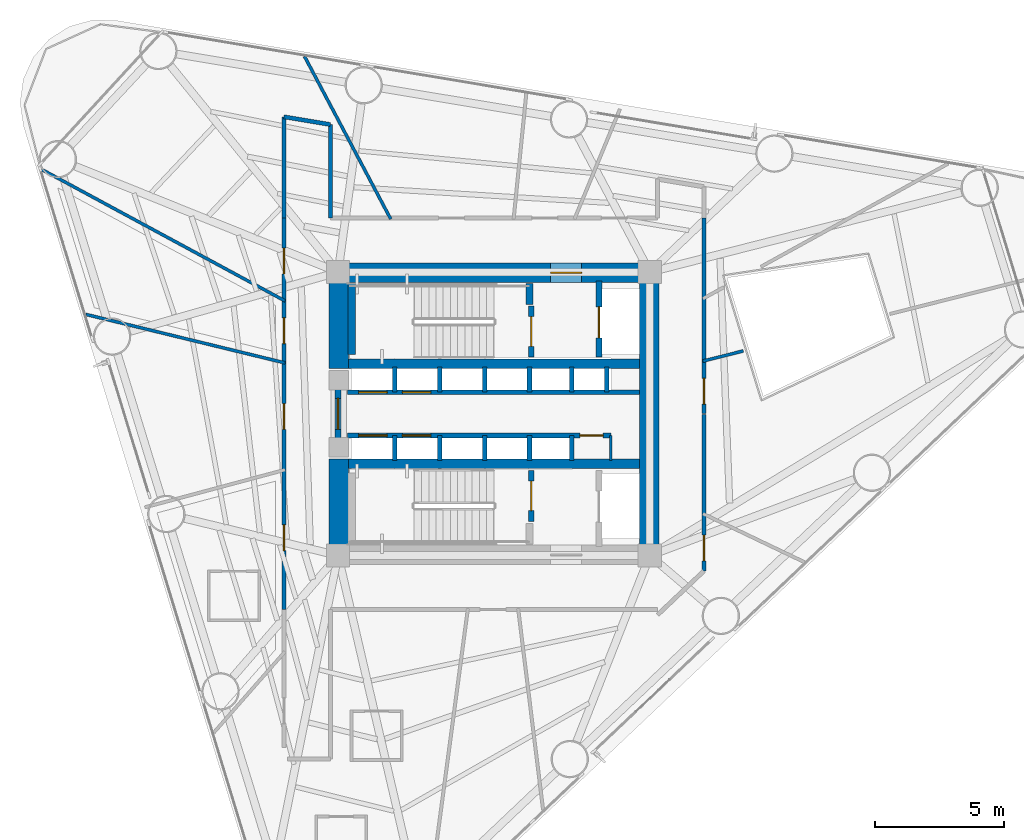
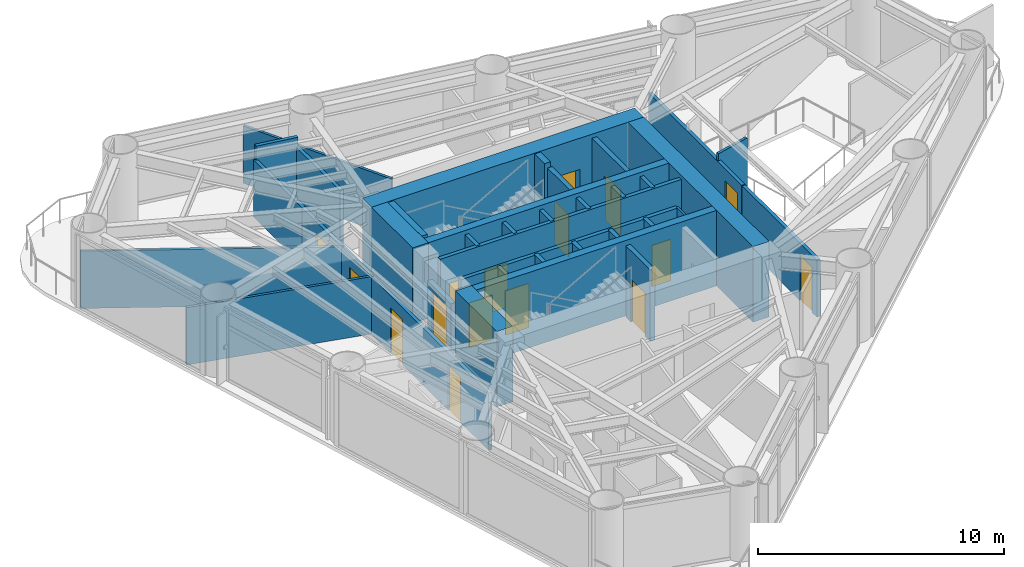
# One storey, part 6 of 10: 36 walls, 16 doors, 16 openings.
"""IFC4 building model written with IfcOpenShell, lengths in metres."""

import ifcopenshell
import ifcopenshell.guid

model = None  # the IFC model being written
_history = None  # IfcOwnerHistory: only IFC2X3 demands one
_inside = {}  # id of a spatial element -> (the spatial element, [elements in it])
_under = {}  # id of a project, library or spatial element -> (it, [spatial elements below it])
_declared = {}  # id of a project -> (the project, [libraries it declares])
_typed = {}  # id of a type object -> (the type object, [elements of that type])
_made_of = {}  # id of a material, layer set ... -> (it, [elements and type objects made of it])


def new_model(schema):
    """Start an empty IFC model of exactly this schema.

    Asked for "IFC4X3", IfcOpenShell would pick the latest addendum, in which some entities
    have other attributes; the version numbers below select the first issue.
    IFC2X3 requires an IfcOwnerHistory on every rooted entity: one is made here for all.
    """
    global model, _history
    if schema == "IFC4X3":
        model = ifcopenshell.file(schema_version=(4, 3, 0, 0))
    else:
        model = ifcopenshell.file(schema=schema)
    _inside.clear()
    _under.clear()
    _declared.clear()
    _typed.clear()
    _made_of.clear()
    _history = None
    if model.schema == "IFC2X3":
        org = make("IfcOrganization", Name="unknown")
        user = make(
            "IfcPersonAndOrganization",
            ThePerson=make("IfcPerson", FamilyName="unknown"),
            TheOrganization=org,
        )
        app = make(
            "IfcApplication",
            ApplicationDeveloper=org,
            Version="unknown",
            ApplicationFullName="unknown",
            ApplicationIdentifier="unknown",
        )
        _history = make(
            "IfcOwnerHistory",
            OwningUser=user,
            OwningApplication=app,
            ChangeAction="ADDED",
            CreationDate=0,
        )
    return model


def make(cls, **values):
    """One entity of the class cls with the attributes given. An attribute that is None is left unset."""
    return model.create_entity(
        cls, **{name: value for name, value in values.items() if value is not None}
    )


def rooted(cls, **values):
    """An entity with a GlobalId (a new one), such as an element, a storey or a relation."""
    return make(cls, GlobalId=ifcopenshell.guid.new(), OwnerHistory=_history, **values)


def si_unit(unit_type, name, prefix=None):
    """IfcSIUnit, for example si_unit("LENGTHUNIT", "METRE", prefix="MILLI")."""
    return make("IfcSIUnit", UnitType=unit_type, Prefix=prefix, Name=name)


def assignment(units):
    """IfcUnitAssignment: the units of a project."""
    return None if units is None else make("IfcUnitAssignment", Units=units)


def point(xyz):
    """IfcCartesianPoint."""
    return None if xyz is None else make("IfcCartesianPoint", Coordinates=xyz)


def direction(xyz):
    """IfcDirection."""
    return None if xyz is None else make("IfcDirection", DirectionRatios=xyz)


def frame(location, z_axis=None, x_axis=None):
    """IfcAxis2Placement3D, a coordinate frame: its origin and axes. An axis left out is left unset."""
    return make(
        "IfcAxis2Placement3D",
        Location=point(location),
        Axis=direction(z_axis),
        RefDirection=direction(x_axis),
    )


def frame_2d(location, x_axis=None):
    """IfcAxis2Placement2D, a coordinate frame in the plane: its origin and x axis."""
    return make(
        "IfcAxis2Placement2D", Location=point(location), RefDirection=direction(x_axis)
    )


def origin():
    """The frame at (0, 0, 0) with its axes left unset."""
    return frame((0.0, 0.0, 0.0))


def place(relative_to, where):
    """IfcLocalPlacement: puts the frame where relative to a parent placement (None: the world)."""
    return make(
        "IfcLocalPlacement", PlacementRelTo=relative_to, RelativePlacement=where
    )


def context(
    kind, dimensions, precision=None, world=None, true_north=None, identifier=None
):
    """IfcGeometricRepresentationContext, for example the 3D "Model" context."""
    return make(
        "IfcGeometricRepresentationContext",
        ContextIdentifier=identifier,
        ContextType=kind,
        CoordinateSpaceDimension=dimensions,
        Precision=precision,
        WorldCoordinateSystem=world,
        TrueNorth=true_north,
    )


def subcontext(parent, identifier, kind, view, scale=None):
    """IfcGeometricRepresentationSubContext, for example "Body" below "Model"."""
    return make(
        "IfcGeometricRepresentationSubContext",
        ContextIdentifier=identifier,
        ContextType=kind,
        ParentContext=parent,
        TargetScale=scale,
        TargetView=view,
    )


def project(units=None, contexts=None):
    """IfcProject with its units and contexts."""
    return rooted(
        "IfcProject",
        Name="project",
        RepresentationContexts=contexts,
        UnitsInContext=assignment(units),
    )


def spatial(cls, under=None, at=None, **own):
    """A site, building, storey or space (cls), placed at a placement, below another one or the project."""
    s = rooted(cls, ObjectPlacement=at, **own)
    if under is not None:
        _under.setdefault(under.id(), (under, []))[1].append(s)
    return s


def profile(cls, at=None, kind="AREA", **sizes):
    """A parametric profile (cls). Its sizes go by their IFC names, for example OverallWidth=200.0."""
    return make(cls, ProfileType=kind, Position=at, **sizes)


def rectangle(**sizes):
    """IfcRectangleProfileDef."""
    return profile("IfcRectangleProfileDef", **sizes)


def extrude(swept, where, along, depth):
    """IfcExtrudedAreaSolid: the profile swept, set in the frame where, extruded along a direction by depth."""
    return make(
        "IfcExtrudedAreaSolid",
        SweptArea=swept,
        Position=where,
        ExtrudedDirection=direction(along),
        Depth=depth,
    )


def shape(context_of_items, identifier, shape_type, items):
    """IfcShapeRepresentation: the items that make up one representation, for example the "Body"."""
    return make(
        "IfcShapeRepresentation",
        ContextOfItems=context_of_items,
        RepresentationIdentifier=identifier,
        RepresentationType=shape_type,
        Items=items,
    )


def material(Name=None, Category=None):
    """IfcMaterial."""
    return make("IfcMaterial", Name=Name, Category=Category)


def layer(
    of_material, thickness, ventilated=None, Name=None, Category=None, Priority=None
):
    """IfcMaterialLayer: one layer of a wall or slab, of a material (None: an air gap)."""
    return make(
        "IfcMaterialLayer",
        Material=of_material,
        LayerThickness=thickness,
        IsVentilated=ventilated,
        Name=Name,
        Category=Category,
        Priority=Priority,
    )


def layer_set(layers, Name=None):
    """IfcMaterialLayerSet."""
    return make("IfcMaterialLayerSet", MaterialLayers=layers, LayerSetName=Name)


def made_of(thing, what):
    """Note that an element or type object is made of a material, layer set ...; save() writes the relation."""
    if what is not None:
        _made_of.setdefault(what.id(), (what, []))[1].append(thing)
    return thing


def type_object(cls, material=None, **own):
    """A type object (cls), such as IfcWallType, which elements share."""
    return made_of(rooted(cls, **own), material)


def element(
    cls,
    number,
    at=None,
    inside=None,
    cuts=None,
    type_object=None,
    material=None,
    context=None,
    identifier="Body",
    shape_type=None,
    held_by="IfcProductDefinitionShape",
    body=None,
    shapes=None,
    **own,
):
    """One element of the class cls, such as IfcWall. Its Tag is "e" and its number.

    at: its placement. inside: the storey or other place that contains it. cuts: it is an
    opening in that element (IfcRelVoidsElement). A single representation is given by context,
    identifier, shape_type and body (its items); several are given by shapes. held_by: the class
    of the entity that holds the representations. save() writes the other relations.
    """
    e = rooted(cls, Tag="e%d" % number, ObjectPlacement=at, **own)
    if body is not None:
        shapes = [shape(context, identifier, shape_type, body)]
    if shapes is not None:
        e.Representation = make(held_by, Representations=shapes)
    if inside is not None:
        _inside.setdefault(inside.id(), (inside, []))[1].append(e)
    if cuts is not None:
        rooted(
            "IfcRelVoidsElement", RelatingBuildingElement=cuts, RelatedOpeningElement=e
        )
    if type_object is not None:
        _typed.setdefault(type_object.id(), (type_object, []))[1].append(e)
    return made_of(e, material)


def fill(opening, filler):
    """IfcRelFillsElement: the door or window that sits in an opening."""
    return rooted(
        "IfcRelFillsElement",
        RelatingOpeningElement=opening,
        RelatedBuildingElement=filler,
    )


def aggregate(whole, parts):
    """IfcRelAggregates: a whole, such as a stair, and the parts it consists of."""
    return rooted("IfcRelAggregates", RelatingObject=whole, RelatedObjects=parts)


def save(model, path):
    """Write the relations noted so far, then the file.

    IfcRelAggregates (storeys below a building ...), IfcRelContainedInSpatialStructure (elements
    in a storey), IfcRelDefinesByType, IfcRelAssociatesMaterial and IfcRelDeclares: one each for
    every whole, place, type object, material and project.
    """
    for whole, parts in _under.values():
        aggregate(whole, parts)
    for where, things in _inside.values():
        rooted(
            "IfcRelContainedInSpatialStructure",
            RelatedElements=things,
            RelatingStructure=where,
        )
    for kind, things in _typed.values():
        rooted("IfcRelDefinesByType", RelatedObjects=things, RelatingType=kind)
    for what, things in _made_of.values():
        rooted("IfcRelAssociatesMaterial", RelatedObjects=things, RelatingMaterial=what)
    for by, libraries in _declared.values():
        rooted("IfcRelDeclares", RelatingContext=by, RelatedDefinitions=libraries)
    model.write(path)


model = new_model("IFC4")

# Units and contexts
model_context = context("Model", 3, precision=1e-05, world=origin(), true_north=direction((0.0, 1.0)))
body_context = subcontext(model_context, "Body", "Model", "MODEL_VIEW")
ifc_project = project(units=[si_unit("LENGTHUNIT", "METRE"), si_unit("AREAUNIT", "SQUARE_METRE"), si_unit("VOLUMEUNIT", "CUBIC_METRE"), si_unit("PLANEANGLEUNIT", "RADIAN"), si_unit("MASSUNIT", "GRAM", prefix="KILO")], contexts=[model_context])

# Site, building, storey
site_placement = place(None, origin())
site = spatial("IfcSite", under=ifc_project, at=site_placement, CompositionType="ELEMENT")
building_placement = place(site_placement, origin())
building = spatial("IfcBuilding", under=site, at=building_placement, Name="Yunling Apex Tower", CompositionType="ELEMENT")
storey_placement = place(building_placement, frame((0.0, 0.0, 112.39990234375)))
storey = spatial("IfcBuildingStorey", under=building, at=storey_placement, Name="L28", CompositionType="ELEMENT", Elevation=112.39990234375)

# Wall, opening, door
ifc_material_1 = material(Name="Concrete C60", Category="concrete")
ifc_layer_1 = layer(ifc_material_1, 0.75)
ifc_layer_set_1 = layer_set([ifc_layer_1], Name="Concrete C60")
wall_type_1 = type_object("IfcWallType", Name="WL-COR-1", PredefinedType="SHEAR", material=ifc_layer_set_1)
wall_1_placement = place(storey_placement, frame((-6.39990234375, 5.47509765625, 0.0), z_axis=(0.0, 0.0, 1.0), x_axis=(1.0, 0.0, 0.0)))
wall_1 = element("IfcWall", 1, at=wall_1_placement, inside=storey, type_object=wall_type_1, Name="L28 North Core Shear Wall", PredefinedType="SHEAR", context=body_context, shape_type="SweptSolid", body=[
    extrude(rectangle(XDim=12.7998046875, YDim=0.75, at=frame_2d((6.39990234375, 0.0))), origin(), (0.0, 0.0, 1.0), 3.75),
])
opening_1_placement = place(wall_1_placement, frame((8.60009765625, 0.0, 0.0)))
opening_1 = element("IfcOpeningElement", 2, at=opening_1_placement, cuts=wall_1, Name="Opening DR-FFL-1", PredefinedType="OPENING", context=body_context, shape_type="SweptSolid", body=[
    extrude(rectangle(XDim=1.199951171875, YDim=2.199951171875, at=frame_2d((0.60009765625, 1.10009765625))), frame((0.0, 0.385009765625, 0.0), z_axis=(0.0, -1.0, 0.0), x_axis=(1.0, 0.0, 0.0)), (0.0, 0.0, 1.0), 0.77001953125),
])
ifc_material_2 = material(Name="Steel Q355B", Category="steel")
door_type_1 = type_object("IfcDoorType", Name="DR-FFL-1", OperationType="NOTDEFINED", PredefinedType="DOOR", material=ifc_material_2)
door_1_placement = place(opening_1_placement, origin())
door_1 = element("IfcDoor", 3, at=door_1_placement, inside=storey, type_object=door_type_1, Name="L28 North Firefighting Lobby Door", OperationType="SINGLE_SWING_LEFT", OverallHeight=2.199951171875, OverallWidth=1.199951171875, PredefinedType="DOOR", context=body_context, shape_type="SweptSolid", body=[
    extrude(rectangle(XDim=1.199951171875, YDim=2.199951171875, at=frame_2d((0.60009765625, 1.10009765625))), frame((0.0, 0.02490234375, 0.0), z_axis=(0.0, -1.0, 0.0), x_axis=(1.0, 0.0, 0.0)), (0.0, 0.0, 1.0), 0.050048828125),
])
fill(opening_1, door_1)

# Walls
wall_2_placement = place(storey_placement, frame((6.02490234375, -5.10009765625, 0.0), z_axis=(0.0, 0.0, 1.0), x_axis=(0.0, 1.0, 0.0)))
element("IfcWall", 4, at=wall_2_placement, inside=storey, type_object=wall_type_1, Name="L28 East Core Shear Wall", PredefinedType="SHEAR", context=body_context, shape_type="SweptSolid", body=[
    extrude(rectangle(XDim=10.2001953125, YDim=0.75, at=frame_2d((5.10009765625, 0.0))), origin(), (0.0, 0.0, 1.0), 3.75),
])
for number, where, z_axis, x_axis, name in (
    (5, (-6.02490234375, -5.10009765625, 0.0), (0.0, 0.0, 1.0), (0.0, 1.0, 0.0), "L28 West-South Core Shear Wall"),
    (6, (-6.02490234375, 1.75, 0.0), (0.0, 0.0, 1.0), (0.0, 1.0, 0.0), "L28 West-North Core Shear Wall"),
):
    element("IfcWall", number, at=place(storey_placement, frame(where, z_axis=z_axis, x_axis=x_axis)), inside=storey, type_object=wall_type_1, Name=name, PredefinedType="SHEAR", context=body_context, shape_type="SweptSolid", body=[
        extrude(rectangle(XDim=3.35009765625, YDim=0.75, at=frame_2d((1.675048828125, 0.0))), origin(), (0.0, 0.0, 1.0), 3.75),
    ])
ifc_material_3 = material(Name="Concrete C40", Category="concrete")
ifc_layer_2 = layer(ifc_material_3, 0.360107421875)
ifc_layer_set_2 = layer_set([ifc_layer_2], Name="Concrete C40")
wall_type_2 = type_object("IfcWallType", Name="WL-COR-4", PredefinedType="SHEAR", material=ifc_layer_set_2)
for number, where, z_axis, x_axis, name in (
    (7, (-5.64990234375, 1.93994140625, 0.0), (0.0, 0.0, 1.0), (1.0, 0.0, 0.0), "L28 North Internal Core Shear Wall"),
    (8, (-5.64990234375, -1.93994140625, 0.0), (0.0, 0.0, 1.0), (1.0, 0.0, 0.0), "L28 South Internal Core Shear Wall"),
):
    element("IfcWall", number, at=place(storey_placement, frame(where, z_axis=z_axis, x_axis=x_axis)), inside=storey, type_object=wall_type_2, Name=name, PredefinedType="SHEAR", context=body_context, shape_type="SweptSolid", body=[
        extrude(rectangle(XDim=11.2998046875, YDim=0.360107421875, at=frame_2d((5.64990234375, 0.0))), origin(), (0.0, 0.0, 1.0), 3.75),
    ])
ifc_layer_3 = layer(ifc_material_3, 0.280029296875)
ifc_layer_set_3 = layer_set([ifc_layer_3], Name="Concrete C40")
wall_type_3 = type_object("IfcWallType", Name="WL-COR-8", PredefinedType="SHEAR", material=ifc_layer_set_3)
wall_3_placement = place(storey_placement, frame((-5.52001953125, 2.300048828125, 0.0), z_axis=(0.0, 0.0, 1.0), x_axis=(0.0, 1.0, 0.0)))
element("IfcWall", 9, at=wall_3_placement, inside=storey, type_object=wall_type_3, Name="L28 ST-1 West Landing Bearing Wall", PredefinedType="SHEAR", context=body_context, shape_type="SweptSolid", body=[
    extrude(rectangle(XDim=2.75, YDim=0.280029296875, at=frame_2d((1.375, 0.0))), origin(), (0.0, 0.0, 1.0), 3.75),
])
wall_4_placement = place(storey_placement, frame((1.3798828125, 4.25, 0.0), z_axis=(0.0, 0.0, 1.0), x_axis=(0.0, 1.0, 0.0)))
element("IfcWall", 10, at=wall_4_placement, inside=storey, type_object=wall_type_3, Name="L28 ST-1 East Landing Bearing Pier", PredefinedType="SHEAR", context=body_context, shape_type="SweptSolid", body=[
    extrude(rectangle(XDim=0.800048828125, YDim=0.280029296875, at=frame_2d((0.39990234375, 0.0))), origin(), (0.0, 0.0, 1.0), 3.75),
])

# Wall, openings, doors
ifc_material_4 = material(Name="Gypsum board acoustic partition")
ifc_layer_4 = layer(ifc_material_4, 0.159912109375)
ifc_layer_set_4 = layer_set([ifc_layer_4], Name="Gypsum board acoustic partition")
wall_type_4 = type_object("IfcWallType", Name="WL-PRT-1", PredefinedType="PARTITIONING", material=ifc_layer_set_4)
wall_5_placement = place(storey_placement, frame((-8.14990234375, -7.60009765625, 0.0), z_axis=(0.0, 0.0, 1.0), x_axis=(0.0, 1.0, 0.0)))
wall_5 = element("IfcWall", 11, at=wall_5_placement, inside=storey, type_object=wall_type_4, Name="WL-CORR-L28-03", PredefinedType="PARTITIONING", context=body_context, shape_type="SweptSolid", body=[
    extrude(rectangle(XDim=15.2001953125, YDim=0.159912109375, at=frame_2d((7.60009765625, 0.0))), origin(), (0.0, 0.0, 1.0), 2.85009765625),
])
opening_2_placement = place(wall_5_placement, frame((2.2900390625, 0.0, 0.0)))
opening_2 = element("IfcOpeningElement", 12, at=opening_2_placement, cuts=wall_5, Name="Opening DR-OFF-1", PredefinedType="OPENING", context=body_context, shape_type="SweptSolid", body=[
    extrude(rectangle(XDim=1.0, YDim=2.25, at=frame_2d((0.5, 1.125))), frame((0.0, 0.08984375, 0.0), z_axis=(0.0, -1.0, 0.0), x_axis=(1.0, 0.0, 0.0)), (0.0, 0.0, 1.0), 0.179931640625),
])
opening_3_placement = place(wall_5_placement, frame((7.000244140625, 0.0, 0.0)))
opening_3 = element("IfcOpeningElement", 13, at=opening_3_placement, cuts=wall_5, Name="Opening DR-OFF-1", PredefinedType="OPENING", context=body_context, shape_type="SweptSolid", body=[
    extrude(rectangle(XDim=1.0, YDim=2.25, at=frame_2d((0.5, 1.125))), frame((0.0, 0.08984375, 0.0), z_axis=(0.0, -1.0, 0.0), x_axis=(1.0, 0.0, 0.0)), (0.0, 0.0, 1.0), 0.179931640625),
])
opening_4_placement = place(wall_5_placement, frame((10.3251953125, 0.0, 0.0)))
opening_4 = element("IfcOpeningElement", 14, at=opening_4_placement, cuts=wall_5, Name="Opening DR-OFF-1", PredefinedType="OPENING", context=body_context, shape_type="SweptSolid", body=[
    extrude(rectangle(XDim=1.0, YDim=2.25, at=frame_2d((0.5, 1.125))), frame((0.0, 0.08984375, 0.0), z_axis=(0.0, -1.0, 0.0), x_axis=(1.0, 0.0, 0.0)), (0.0, 0.0, 1.0), 0.179931640625),
])
opening_5_placement = place(wall_5_placement, frame((13.034912109375, 0.0, 0.0)))
opening_5 = element("IfcOpeningElement", 15, at=opening_5_placement, cuts=wall_5, Name="Opening DR-OFF-1", PredefinedType="OPENING", context=body_context, shape_type="SweptSolid", body=[
    extrude(rectangle(XDim=1.0, YDim=2.25, at=frame_2d((0.5, 1.125))), frame((0.0, 0.08984375, 0.0), z_axis=(0.0, -1.0, 0.0), x_axis=(1.0, 0.0, 0.0)), (0.0, 0.0, 1.0), 0.179931640625),
])
ifc_material_5 = material(Name="Bronze anodised aluminium", Category="aluminium")
door_type_2 = type_object("IfcDoorType", Name="DR-OFF-1", OperationType="NOTDEFINED", PredefinedType="DOOR", material=ifc_material_5)
door_2_placement = place(opening_2_placement, origin())
door_2 = element("IfcDoor", 16, at=door_2_placement, inside=storey, type_object=door_type_2, Name="L28 Office Suite Door", OperationType="SINGLE_SWING_LEFT", OverallHeight=2.25, OverallWidth=1.0, PredefinedType="DOOR", context=body_context, shape_type="SweptSolid", body=[
    extrude(rectangle(XDim=1.0, YDim=2.25, at=frame_2d((0.5, 1.125))), frame((0.0, 0.02490234375, 0.0), z_axis=(0.0, -1.0, 0.0), x_axis=(1.0, 0.0, 0.0)), (0.0, 0.0, 1.0), 0.050048828125),
])
fill(opening_2, door_2)
door_3_placement = place(opening_3_placement, origin())
door_3 = element("IfcDoor", 17, at=door_3_placement, inside=storey, type_object=door_type_2, Name="L28 Conference Meeting Room Door", OperationType="SINGLE_SWING_RIGHT", OverallHeight=2.25, OverallWidth=1.0, PredefinedType="DOOR", context=body_context, shape_type="SweptSolid", body=[
    extrude(rectangle(XDim=1.0, YDim=2.25, at=frame_2d((0.5, 1.125))), frame((0.0, 0.02490234375, 0.0), z_axis=(0.0, -1.0, 0.0), x_axis=(1.0, 0.0, 0.0)), (0.0, 0.0, 1.0), 0.050048828125),
])
fill(opening_3, door_3)
door_4_placement = place(opening_4_placement, origin())
door_4 = element("IfcDoor", 18, at=door_4_placement, inside=storey, type_object=door_type_2, Name="L28 Document Archive Store Door", OperationType="SINGLE_SWING_LEFT", OverallHeight=2.25, OverallWidth=1.0, PredefinedType="DOOR", context=body_context, shape_type="SweptSolid", body=[
    extrude(rectangle(XDim=1.0, YDim=2.25, at=frame_2d((0.5, 1.125))), frame((0.0, 0.02490234375, 0.0), z_axis=(0.0, -1.0, 0.0), x_axis=(1.0, 0.0, 0.0)), (0.0, 0.0, 1.0), 0.050048828125),
])
fill(opening_4, door_4)
door_5_placement = place(opening_5_placement, origin())
door_5 = element("IfcDoor", 19, at=door_5_placement, inside=storey, type_object=door_type_2, Name="L28 Document Archive Store Door", OperationType="SINGLE_SWING_RIGHT", OverallHeight=2.25, OverallWidth=1.0, PredefinedType="DOOR", context=body_context, shape_type="SweptSolid", body=[
    extrude(rectangle(XDim=1.0, YDim=2.25, at=frame_2d((0.5, 1.125))), frame((0.0, 0.02490234375, 0.0), z_axis=(0.0, -1.0, 0.0), x_axis=(1.0, 0.0, 0.0)), (0.0, 0.0, 1.0), 0.050048828125),
])
fill(opening_5, door_5)

# Walls
wall_6_placement = place(storey_placement, frame((-8.14990234375, 7.60009765625, 0.0), z_axis=(0.0, 0.0, 1.0), x_axis=(0.0, 1.0, 0.0)))
element("IfcWall", 20, at=wall_6_placement, inside=storey, type_object=wall_type_4, Name="WL-CORR-L28-04", PredefinedType="PARTITIONING", context=body_context, shape_type="SweptSolid", body=[
    extrude(rectangle(XDim=3.928955078125, YDim=0.159912109375, at=frame_2d((1.96435546875, 0.0))), origin(), (0.0, 0.0, 1.0), 2.85009765625),
])
wall_7_placement = place(storey_placement, frame((-8.14990234375, 11.529052734375, 0.0), z_axis=(0.0, 0.0, 1.0), x_axis=(0.986408385389, -0.164312194419, 0.0)))
element("IfcWall", 21, at=wall_7_placement, inside=storey, type_object=wall_type_4, Name="WL-CORR-L28-05", PredefinedType="PARTITIONING", context=body_context, shape_type="SweptSolid", body=[
    extrude(rectangle(XDim=1.82470703125, YDim=0.159912109375, at=frame_2d((0.912353515625, 0.0))), origin(), (0.0, 0.0, 1.0), 3.545166015625),
])
wall_8_placement = place(storey_placement, frame((-6.35009765625, 11.229248046875, 0.0), z_axis=(0.0, 0.0, 1.0), x_axis=(0.0, -1.0, 0.0)))
element("IfcWall", 22, at=wall_8_placement, inside=storey, type_object=wall_type_4, Name="WL-CORR-L28-06", PredefinedType="PARTITIONING", context=body_context, shape_type="SweptSolid", body=[
    extrude(rectangle(XDim=3.629150390625, YDim=0.159912109375, at=frame_2d((1.814453125, 0.0))), origin(), (0.0, 0.0, 1.0), 3.050048828125),
])

# Wall, opening, door
wall_9_placement = place(storey_placement, frame((8.14990234375, 7.60009765625, 0.0), z_axis=(0.0, 0.0, 1.0), x_axis=(0.0, -1.0, 0.0)))
wall_9 = element("IfcWall", 23, at=wall_9_placement, inside=storey, type_object=wall_type_4, Name="WL-CORR-L28-11", PredefinedType="PARTITIONING", context=body_context, shape_type="SweptSolid", body=[
    extrude(rectangle(XDim=7.580078125, YDim=0.159912109375, at=frame_2d((3.7900390625, 0.0))), origin(), (0.0, 0.0, 1.0), 2.85009765625),
])
opening_6_placement = place(wall_9_placement, frame((6.228515625, 0.0, 0.0)))
opening_6 = element("IfcOpeningElement", 24, at=opening_6_placement, cuts=wall_9, Name="Opening DR-OFF-1", PredefinedType="OPENING", context=body_context, shape_type="SweptSolid", body=[
    extrude(rectangle(XDim=1.0, YDim=2.25, at=frame_2d((0.5, 1.125))), frame((0.0, 0.08984375, 0.0), z_axis=(0.0, -1.0, 0.0), x_axis=(1.0, 0.0, 0.0)), (0.0, 0.0, 1.0), 0.179931640625),
])
door_6_placement = place(opening_6_placement, origin())
door_6 = element("IfcDoor", 25, at=door_6_placement, inside=storey, type_object=door_type_2, Name="L28 Conference Meeting Room Door", OperationType="SINGLE_SWING_RIGHT", OverallHeight=2.25, OverallWidth=1.0, PredefinedType="DOOR", context=body_context, shape_type="SweptSolid", body=[
    extrude(rectangle(XDim=1.0, YDim=2.25, at=frame_2d((0.5, 1.125))), frame((0.0, 0.02490234375, 0.0), z_axis=(0.0, -1.0, 0.0), x_axis=(1.0, 0.0, 0.0)), (0.0, 0.0, 1.0), 0.050048828125),
])
fill(opening_6, door_6)

wall_10_placement = place(storey_placement, frame((8.14990234375, -0.02001953125, 0.0), z_axis=(0.0, 0.0, 1.0), x_axis=(0.0, -1.0, 0.0)))
wall_10 = element("IfcWall", 26, at=wall_10_placement, inside=storey, type_object=wall_type_4, Name="WL-CORR-L28-12", PredefinedType="PARTITIONING", context=body_context, shape_type="SweptSolid", body=[
    extrude(rectangle(XDim=6.078857421875, YDim=0.159912109375, at=frame_2d((3.03955078125, 0.0))), origin(), (0.0, 0.0, 1.0), 2.85009765625),
])
opening_7_placement = place(wall_10_placement, frame((4.6875, 0.0, 0.0)))
opening_7 = element("IfcOpeningElement", 27, at=opening_7_placement, cuts=wall_10, Name="Opening DR-OFF-1", PredefinedType="OPENING", context=body_context, shape_type="SweptSolid", body=[
    extrude(rectangle(XDim=1.0, YDim=2.25, at=frame_2d((0.5, 1.125))), frame((0.0, 0.08984375, 0.0), z_axis=(0.0, -1.0, 0.0), x_axis=(1.0, 0.0, 0.0)), (0.0, 0.0, 1.0), 0.179931640625),
])
door_7_placement = place(opening_7_placement, origin())
door_7 = element("IfcDoor", 28, at=door_7_placement, inside=storey, type_object=door_type_2, Name="L28 Document Archive Store Door", OperationType="SINGLE_SWING_LEFT", OverallHeight=2.25, OverallWidth=1.0, PredefinedType="DOOR", context=body_context, shape_type="SweptSolid", body=[
    extrude(rectangle(XDim=1.0, YDim=2.25, at=frame_2d((0.5, 1.125))), frame((0.0, 0.02490234375, 0.0), z_axis=(0.0, -1.0, 0.0), x_axis=(1.0, 0.0, 0.0)), (0.0, 0.0, 1.0), 0.050048828125),
])
fill(opening_7, door_7)

# Walls
ifc_layer_5 = layer(ifc_material_4, 0.1201171875)
ifc_layer_set_5 = layer_set([ifc_layer_5], Name="Gypsum board acoustic partition")
wall_type_5 = type_object("IfcWallType", Name="WL-PRT-3", PredefinedType="PARTITIONING", material=ifc_layer_set_5)
wall_11_placement = place(storey_placement, frame((8.110107421875, 2.045166015625, 0.0), z_axis=(0.0, 0.0, 1.0), x_axis=(0.969634535422, 0.244558515936, 0.0)))
element("IfcWall", 29, at=wall_11_placement, inside=storey, type_object=wall_type_5, Name="WL-RAD-L28-06", PredefinedType="PARTITIONING", context=body_context, shape_type="SweptSolid", body=[
    extrude(rectangle(XDim=1.6181640625, YDim=0.1201171875, at=frame_2d((0.80908203125, 0.0))), origin(), (0.0, 0.0, 1.0), 3.210205078125),
])
wall_12_placement = place(storey_placement, frame((-4.006591796875, 7.56005859375, 0.0), z_axis=(0.0, 0.0, 1.0), x_axis=(-0.468285095747, 0.883577426772, 0.0)))
element("IfcWall", 30, at=wall_12_placement, inside=storey, type_object=wall_type_5, Name="WL-RAD-L28-12", PredefinedType="PARTITIONING", context=body_context, shape_type="SweptSolid", body=[
    extrude(rectangle(XDim=7.140869140625, YDim=0.1201171875, at=frame_2d((3.5703125, 0.0))), origin(), (0.0, 0.0, 1.0), 2.85009765625),
])
wall_13_placement = place(storey_placement, frame((-8.110107421875, 4.382080078125, 0.0), z_axis=(0.0, 0.0, 1.0), x_axis=(-0.879765097161, 0.47540863877, 0.0)))
element("IfcWall", 31, at=wall_13_placement, inside=storey, type_object=wall_type_5, Name="WL-RAD-L28-13", PredefinedType="PARTITIONING", context=body_context, shape_type="SweptSolid", body=[
    extrude(rectangle(XDim=10.7412109375, YDim=0.1201171875, at=frame_2d((5.37060546875, 0.0))), origin(), (0.0, 0.0, 1.0), 2.85009765625),
])
wall_14_placement = place(storey_placement, frame((-8.110107421875, 1.975830078125, 0.0), z_axis=(0.0, 0.0, 1.0), x_axis=(-0.971576662732, 0.236725132665, 0.0)))
element("IfcWall", 32, at=wall_14_placement, inside=storey, type_object=wall_type_5, Name="WL-RAD-L28-14", PredefinedType="PARTITIONING", context=body_context, shape_type="SweptSolid", body=[
    extrude(rectangle(XDim=7.95458984375, YDim=0.1201171875, at=frame_2d((3.977294921875, 0.0))), origin(), (0.0, 0.0, 1.0), 2.85009765625),
])
ifc_layer_6 = layer(ifc_material_4, 0.10009765625)
ifc_layer_set_6 = layer_set([ifc_layer_6], Name="Gypsum board acoustic partition")
wall_type_6 = type_object("IfcWallType", Name="WL-PRT-4", PredefinedType="PARTITIONING", material=ifc_layer_set_6)
wall_15_placement = place(storey_placement, frame((4.5400390625, -1.820068359375, 0.0), z_axis=(0.0, 0.0, 1.0), x_axis=(0.0, 1.0, 0.0)))
element("IfcWall", 33, at=wall_15_placement, inside=storey, type_object=wall_type_6, Name="WL-KASE-E-L28", PredefinedType="PARTITIONING", context=body_context, shape_type="SweptSolid", body=[
    extrude(rectangle(XDim=0.97998046875, YDim=0.10009765625, at=frame_2d((0.489990234375, 0.0))), origin(), (0.0, 0.0, 1.0), 3.545166015625),
])

# Wall, opening, door
ifc_material_6 = material(Name="Autoclaved aerated concrete masonry", Category="masonry")
ifc_layer_7 = layer(ifc_material_6, 0.219970703125)
ifc_layer_set_7 = layer_set([ifc_layer_7], Name="Autoclaved aerated concrete masonry")
wall_type_7 = type_object("IfcWallType", Name="WL-SHF-1", PredefinedType="PLUMBINGWALL", material=ifc_layer_set_7)
wall_16_placement = place(storey_placement, frame((-6.050048828125, -0.949951171875, 0.0), z_axis=(0.0, 0.0, 1.0), x_axis=(0.0, 1.0, 0.0)))
wall_16 = element("IfcWall", 34, at=wall_16_placement, inside=storey, type_object=wall_type_7, Name="WL-COR-WPORT-L28", PredefinedType="PLUMBINGWALL", context=body_context, shape_type="SweptSolid", body=[
    extrude(rectangle(XDim=1.89990234375, YDim=0.219970703125, at=frame_2d((0.949951171875, 0.0))), origin(), (0.0, 0.0, 1.0), 2.525146484375),
])
opening_8_placement = place(wall_16_placement, frame((0.35009765625, 0.0, 0.0)))
opening_8 = element("IfcOpeningElement", 35, at=opening_8_placement, cuts=wall_16, Name="Opening DR-FFL-1", PredefinedType="OPENING", context=body_context, shape_type="SweptSolid", body=[
    extrude(rectangle(XDim=1.199951171875, YDim=2.199951171875, at=frame_2d((0.60009765625, 1.10009765625))), frame((0.0, 0.1201171875, 0.0), z_axis=(0.0, -1.0, 0.0), x_axis=(1.0, 0.0, 0.0)), (0.0, 0.0, 1.0), 0.239990234375),
])
door_8_placement = place(opening_8_placement, origin())
door_8 = element("IfcDoor", 36, at=door_8_placement, inside=storey, type_object=door_type_1, Name="L28 Passenger Lift Lobby Entrance Door", OperationType="SINGLE_SWING_RIGHT", OverallHeight=2.199951171875, OverallWidth=1.199951171875, PredefinedType="DOOR", context=body_context, shape_type="SweptSolid", body=[
    extrude(rectangle(XDim=1.199951171875, YDim=2.199951171875, at=frame_2d((0.60009765625, 1.10009765625))), frame((0.0, 0.02490234375, 0.0), z_axis=(0.0, -1.0, 0.0), x_axis=(1.0, 0.0, 0.0)), (0.0, 0.0, 1.0), 0.050048828125),
])
fill(opening_8, door_8)

wall_17_placement = place(storey_placement, frame((1.449951171875, 2.199951171875, 0.0), z_axis=(0.0, 0.0, 1.0), x_axis=(0.0, 1.0, 0.0)))
wall_17 = element("IfcWall", 37, at=wall_17_placement, inside=storey, type_object=wall_type_7, Name="WL-ST1-E-L28", PredefinedType="PLUMBINGWALL", context=body_context, shape_type="SweptSolid", body=[
    extrude(rectangle(XDim=1.97998046875, YDim=0.219970703125, at=frame_2d((0.989990234375, 0.0))), origin(), (0.0, 0.0, 1.0), 3.545166015625),
])
opening_9_placement = place(wall_17_placement, frame((0.419921875, 0.0, 0.0)))
opening_9 = element("IfcOpeningElement", 38, at=opening_9_placement, cuts=wall_17, Name="Opening DR-ST-1", PredefinedType="OPENING", context=body_context, shape_type="SweptSolid", body=[
    extrude(rectangle(XDim=1.14990234375, YDim=2.14990234375, at=frame_2d((0.574951171875, 1.074951171875))), frame((0.0, 0.1201171875, 0.0), z_axis=(0.0, -1.0, 0.0), x_axis=(1.0, 0.0, 0.0)), (0.0, 0.0, 1.0), 0.239990234375),
])
door_type_3 = type_object("IfcDoorType", Name="DR-ST-1", OperationType="NOTDEFINED", PredefinedType="DOOR", material=ifc_material_2)
door_9_placement = place(opening_9_placement, origin())
door_9 = element("IfcDoor", 39, at=door_9_placement, inside=storey, type_object=door_type_3, Name="L28 Stair ST-1 Fire Door", OperationType="SINGLE_SWING_RIGHT", OverallHeight=2.14990234375, OverallWidth=1.14990234375, PredefinedType="DOOR", context=body_context, shape_type="SweptSolid", body=[
    extrude(rectangle(XDim=1.14990234375, YDim=2.14990234375, at=frame_2d((0.574951171875, 1.074951171875))), frame((0.0, 0.02490234375, 0.0), z_axis=(0.0, -1.0, 0.0), x_axis=(1.0, 0.0, 0.0)), (0.0, 0.0, 1.0), 0.050048828125),
])
fill(opening_9, door_9)

wall_18_placement = place(storey_placement, frame((4.080078125, 2.199951171875, 0.0), z_axis=(0.0, 0.0, 1.0), x_axis=(0.0, 1.0, 0.0)))
wall_18 = element("IfcWall", 40, at=wall_18_placement, inside=storey, type_object=wall_type_7, Name="WL-FFL1-W-L28", PredefinedType="PLUMBINGWALL", context=body_context, shape_type="SweptSolid", body=[
    extrude(rectangle(XDim=2.949951171875, YDim=0.219970703125, at=frame_2d((1.47509765625, 0.0))), origin(), (0.0, 0.0, 1.0), 3.545166015625),
])
opening_10_placement = place(wall_18_placement, frame((0.75, 0.0, 0.0)))
opening_10 = element("IfcOpeningElement", 41, at=opening_10_placement, cuts=wall_18, Name="Opening LD-FFL-1", PredefinedType="OPENING", context=body_context, shape_type="SweptSolid", body=[
    extrude(rectangle(XDim=1.199951171875, YDim=2.25, at=frame_2d((0.60009765625, 1.125))), frame((0.0, 0.1201171875, 0.0), z_axis=(0.0, -1.0, 0.0), x_axis=(1.0, 0.0, 0.0)), (0.0, 0.0, 1.0), 0.239990234375),
])
door_type_4 = type_object("IfcDoorType", Name="LD-FFL-1", OperationType="DOUBLE_DOOR_SLIDING", PredefinedType="DOOR", material=ifc_material_2)
door_10_placement = place(opening_10_placement, origin())
door_10 = element("IfcDoor", 42, at=door_10_placement, inside=storey, type_object=door_type_4, Name="L28 Lift FFL-1 Landing Door", OperationType="DOUBLE_DOOR_SLIDING", OverallHeight=2.25, OverallWidth=1.199951171875, PredefinedType="DOOR", context=body_context, shape_type="SweptSolid", body=[
    extrude(rectangle(XDim=1.199951171875, YDim=2.25, at=frame_2d((0.60009765625, 1.125))), frame((0.0, 0.02490234375, 0.0), z_axis=(0.0, -1.0, 0.0), x_axis=(1.0, 0.0, 0.0)), (0.0, 0.0, 1.0), 0.050048828125),
])
fill(opening_10, door_10)

wall_19_placement = place(storey_placement, frame((1.449951171875, -4.179931640625, 0.0), z_axis=(0.0, 0.0, 1.0), x_axis=(0.0, 1.0, 0.0)))
wall_19 = element("IfcWall", 43, at=wall_19_placement, inside=storey, type_object=wall_type_7, Name="WL-ST2-E-L28", PredefinedType="PLUMBINGWALL", context=body_context, shape_type="SweptSolid", body=[
    extrude(rectangle(XDim=1.97998046875, YDim=0.219970703125, at=frame_2d((0.989990234375, 0.0))), origin(), (0.0, 0.0, 1.0), 3.545166015625),
])
opening_11_placement = place(wall_19_placement, frame((0.419921875, 0.0, 0.0)))
opening_11 = element("IfcOpeningElement", 44, at=opening_11_placement, cuts=wall_19, Name="Opening DR-ST-1", PredefinedType="OPENING", context=body_context, shape_type="SweptSolid", body=[
    extrude(rectangle(XDim=1.14990234375, YDim=2.14990234375, at=frame_2d((0.574951171875, 1.074951171875))), frame((0.0, 0.1201171875, 0.0), z_axis=(0.0, -1.0, 0.0), x_axis=(1.0, 0.0, 0.0)), (0.0, 0.0, 1.0), 0.239990234375),
])
door_11_placement = place(opening_11_placement, origin())
door_11 = element("IfcDoor", 45, at=door_11_placement, inside=storey, type_object=door_type_3, Name="L28 Stair ST-2 Fire Door", OperationType="SINGLE_SWING_LEFT", OverallHeight=2.14990234375, OverallWidth=1.14990234375, PredefinedType="DOOR", context=body_context, shape_type="SweptSolid", body=[
    extrude(rectangle(XDim=1.14990234375, YDim=2.14990234375, at=frame_2d((0.574951171875, 1.074951171875))), frame((0.0, 0.02490234375, 0.0), z_axis=(0.0, -1.0, 0.0), x_axis=(1.0, 0.0, 0.0)), (0.0, 0.0, 1.0), 0.050048828125),
])
fill(opening_11, door_11)

# Walls
ifc_layer_8 = layer(ifc_material_6, 0.179931640625)
ifc_layer_set_8 = layer_set([ifc_layer_8], Name="Autoclaved aerated concrete masonry")
wall_type_8 = type_object("IfcWallType", Name="WL-SHF-2", PredefinedType="PLUMBINGWALL", material=ifc_layer_set_8)
for number, where, z_axis, x_axis, name in (
    (46, (-3.85009765625, 0.840087890625, 0.0), (0.0, 0.0, 1.0), (0.0, 1.0, 0.0), "WL-DIV-L12-L28"),
    (47, (-3.85009765625, -1.820068359375, 0.0), (0.0, 0.0, 1.0), (0.0, 1.0, 0.0), "WL-DIV-L34-L28"),
    (48, (-2.10009765625, 0.840087890625, 0.0), (0.0, 0.0, 1.0), (0.0, 1.0, 0.0), "WL-BNK-LM-N-L28"),
    (49, (-2.10009765625, -1.820068359375, 0.0), (0.0, 0.0, 1.0), (0.0, 1.0, 0.0), "WL-BNK-LM-S-L28"),
    (50, (-0.35009765625, 0.840087890625, 0.0), (0.0, 0.0, 1.0), (0.0, 1.0, 0.0), "WL-DIV-M12-L28"),
    (51, (-0.35009765625, -1.820068359375, 0.0), (0.0, 0.0, 1.0), (0.0, 1.0, 0.0), "WL-DIV-M34-L28"),
    (52, (1.3798828125, 0.840087890625, 0.0), (0.0, 0.0, 1.0), (0.0, 1.0, 0.0), "WL-BNK-MH-N-L28"),
    (53, (1.3798828125, -1.820068359375, 0.0), (0.0, 0.0, 1.0), (0.0, 1.0, 0.0), "WL-BNK-MH-S-L28"),
    (54, (3.02001953125, 0.840087890625, 0.0), (0.0, 0.0, 1.0), (0.0, 1.0, 0.0), "WL-DIV-H13-L28"),
    (55, (4.3798828125, 0.840087890625, 0.0), (0.0, 0.0, 1.0), (0.0, 1.0, 0.0), "WL-END-H3E-L28"),
    (56, (3.02001953125, -1.820068359375, 0.0), (0.0, 0.0, 1.0), (0.0, 1.0, 0.0), "WL-END-H2E-L28"),
):
    element("IfcWall", number, at=place(storey_placement, frame(where, z_axis=z_axis, x_axis=x_axis)), inside=storey, type_object=wall_type_8, Name=name, PredefinedType="PLUMBINGWALL", context=body_context, shape_type="SweptSolid", body=[
        extrude(rectangle(XDim=0.97998046875, YDim=0.179931640625, at=frame_2d((0.489990234375, 0.0))), origin(), (0.0, 0.0, 1.0), 3.545166015625),
    ])

# Wall, openings, doors
wall_20_placement = place(storey_placement, frame((-5.679931640625, 0.840087890625, 0.0), z_axis=(0.0, 0.0, 1.0), x_axis=(1.0, 0.0, 0.0)))
wall_20 = element("IfcWall", 57, at=wall_20_placement, inside=storey, type_object=wall_type_8, Name="WL-LOB-N-L28", PredefinedType="PLUMBINGWALL", context=body_context, shape_type="SweptSolid", body=[
    extrude(rectangle(XDim=11.329833984375, YDim=0.179931640625, at=frame_2d((5.6650390625, 0.0))), origin(), (0.0, 0.0, 1.0), 3.545166015625),
])
opening_12_placement = place(wall_20_placement, frame((0.429931640625, 0.0, 0.0)))
opening_12 = element("IfcOpeningElement", 58, at=opening_12_placement, cuts=wall_20, Name="Opening LD-PAS-1", PredefinedType="OPENING", context=body_context, shape_type="SweptSolid", body=[
    extrude(rectangle(XDim=1.10009765625, YDim=2.199951171875, at=frame_2d((0.550048828125, 1.10009765625))), frame((0.0, 0.10009765625, 0.0), z_axis=(0.0, -1.0, 0.0), x_axis=(1.0, 0.0, 0.0)), (0.0, 0.0, 1.0), 0.199951171875),
])
opening_13_placement = place(wall_20_placement, frame((2.1298828125, 0.0, 0.0)))
opening_13 = element("IfcOpeningElement", 59, at=opening_13_placement, cuts=wall_20, Name="Opening LD-PAS-1", PredefinedType="OPENING", context=body_context, shape_type="SweptSolid", body=[
    extrude(rectangle(XDim=1.10009765625, YDim=2.199951171875, at=frame_2d((0.550048828125, 1.10009765625))), frame((0.0, 0.10009765625, 0.0), z_axis=(0.0, -1.0, 0.0), x_axis=(1.0, 0.0, 0.0)), (0.0, 0.0, 1.0), 0.199951171875),
])
ifc_material_7 = material(Name="Silver anodised aluminium", Category="aluminium")
door_type_5 = type_object("IfcDoorType", Name="LD-PAS-1", OperationType="DOUBLE_DOOR_SLIDING", PredefinedType="DOOR", material=ifc_material_7)
door_12_placement = place(opening_12_placement, origin())
door_12 = element("IfcDoor", 60, at=door_12_placement, inside=storey, type_object=door_type_5, Name="L28 Lift PL-L1 Landing Door", OperationType="DOUBLE_DOOR_SLIDING", OverallHeight=2.199951171875, OverallWidth=1.10009765625, PredefinedType="DOOR", context=body_context, shape_type="SweptSolid", body=[
    extrude(rectangle(XDim=1.10009765625, YDim=2.199951171875, at=frame_2d((0.550048828125, 1.10009765625))), frame((0.0, 0.02490234375, 0.0), z_axis=(0.0, -1.0, 0.0), x_axis=(1.0, 0.0, 0.0)), (0.0, 0.0, 1.0), 0.050048828125),
])
fill(opening_12, door_12)
door_13_placement = place(opening_13_placement, origin())
door_13 = element("IfcDoor", 61, at=door_13_placement, inside=storey, type_object=door_type_5, Name="L28 Lift PL-L2 Landing Door", OperationType="DOUBLE_DOOR_SLIDING", OverallHeight=2.199951171875, OverallWidth=1.10009765625, PredefinedType="DOOR", context=body_context, shape_type="SweptSolid", body=[
    extrude(rectangle(XDim=1.10009765625, YDim=2.199951171875, at=frame_2d((0.550048828125, 1.10009765625))), frame((0.0, 0.02490234375, 0.0), z_axis=(0.0, -1.0, 0.0), x_axis=(1.0, 0.0, 0.0)), (0.0, 0.0, 1.0), 0.050048828125),
])
fill(opening_13, door_13)

wall_21_placement = place(storey_placement, frame((-5.679931640625, -0.840087890625, 0.0), z_axis=(0.0, 0.0, 1.0), x_axis=(1.0, 0.0, 0.0)))
wall_21 = element("IfcWall", 62, at=wall_21_placement, inside=storey, type_object=wall_type_8, Name="WL-LOB-S-L28", PredefinedType="PLUMBINGWALL", context=body_context, shape_type="SweptSolid", body=[
    extrude(rectangle(XDim=10.219970703125, YDim=0.179931640625, at=frame_2d((5.10986328125, 0.0))), origin(), (0.0, 0.0, 1.0), 3.545166015625),
])
opening_14_placement = place(wall_21_placement, frame((0.429931640625, 0.0, 0.0)))
opening_14 = element("IfcOpeningElement", 63, at=opening_14_placement, cuts=wall_21, Name="Opening LD-PAS-1", PredefinedType="OPENING", context=body_context, shape_type="SweptSolid", body=[
    extrude(rectangle(XDim=1.10009765625, YDim=2.199951171875, at=frame_2d((0.550048828125, 1.10009765625))), frame((0.0, 0.10009765625, 0.0), z_axis=(0.0, -1.0, 0.0), x_axis=(1.0, 0.0, 0.0)), (0.0, 0.0, 1.0), 0.199951171875),
])
opening_15_placement = place(wall_21_placement, frame((2.1298828125, 0.0, 0.0)))
opening_15 = element("IfcOpeningElement", 64, at=opening_15_placement, cuts=wall_21, Name="Opening LD-PAS-1", PredefinedType="OPENING", context=body_context, shape_type="SweptSolid", body=[
    extrude(rectangle(XDim=1.10009765625, YDim=2.199951171875, at=frame_2d((0.550048828125, 1.10009765625))), frame((0.0, 0.10009765625, 0.0), z_axis=(0.0, -1.0, 0.0), x_axis=(1.0, 0.0, 0.0)), (0.0, 0.0, 1.0), 0.199951171875),
])
opening_16_placement = place(wall_21_placement, frame((9.02001953125, 0.0, 0.0)))
opening_16 = element("IfcOpeningElement", 65, at=opening_16_placement, cuts=wall_21, Name="Opening DR-SHF-1", PredefinedType="OPENING", context=body_context, shape_type="SweptSolid", body=[
    extrude(rectangle(XDim=0.89990234375, YDim=2.050048828125, at=frame_2d((0.449951171875, 1.02490234375))), frame((0.0, 0.10009765625, 0.0), z_axis=(0.0, -1.0, 0.0), x_axis=(1.0, 0.0, 0.0)), (0.0, 0.0, 1.0), 0.199951171875),
])
door_type_6 = type_object("IfcDoorType", Name="DR-SHF-1", OperationType="NOTDEFINED", PredefinedType="DOOR", material=ifc_material_2)
door_14_placement = place(opening_16_placement, origin())
door_14 = element("IfcDoor", 66, at=door_14_placement, inside=storey, type_object=door_type_6, Name="L28 Core Electrical Room Door", OperationType="SINGLE_SWING_RIGHT", OverallHeight=2.050048828125, OverallWidth=0.89990234375, PredefinedType="DOOR", context=body_context, shape_type="SweptSolid", body=[
    extrude(rectangle(XDim=0.89990234375, YDim=2.050048828125, at=frame_2d((0.449951171875, 1.02490234375))), frame((0.0, 0.02490234375, 0.0), z_axis=(0.0, -1.0, 0.0), x_axis=(1.0, 0.0, 0.0)), (0.0, 0.0, 1.0), 0.050048828125),
])
fill(opening_16, door_14)
door_15_placement = place(opening_14_placement, origin())
door_15 = element("IfcDoor", 67, at=door_15_placement, inside=storey, type_object=door_type_5, Name="L28 Lift PL-L3 Landing Door", OperationType="DOUBLE_DOOR_SLIDING", OverallHeight=2.199951171875, OverallWidth=1.10009765625, PredefinedType="DOOR", context=body_context, shape_type="SweptSolid", body=[
    extrude(rectangle(XDim=1.10009765625, YDim=2.199951171875, at=frame_2d((0.550048828125, 1.10009765625))), frame((0.0, 0.02490234375, 0.0), z_axis=(0.0, -1.0, 0.0), x_axis=(1.0, 0.0, 0.0)), (0.0, 0.0, 1.0), 0.050048828125),
])
fill(opening_14, door_15)
door_16_placement = place(opening_15_placement, origin())
door_16 = element("IfcDoor", 68, at=door_16_placement, inside=storey, type_object=door_type_5, Name="L28 Lift PL-L4 Landing Door", OperationType="DOUBLE_DOOR_SLIDING", OverallHeight=2.199951171875, OverallWidth=1.10009765625, PredefinedType="DOOR", context=body_context, shape_type="SweptSolid", body=[
    extrude(rectangle(XDim=1.10009765625, YDim=2.199951171875, at=frame_2d((0.550048828125, 1.10009765625))), frame((0.0, 0.02490234375, 0.0), z_axis=(0.0, -1.0, 0.0), x_axis=(1.0, 0.0, 0.0)), (0.0, 0.0, 1.0), 0.050048828125),
])
fill(opening_15, door_16)

save(model, "model.ifc")
